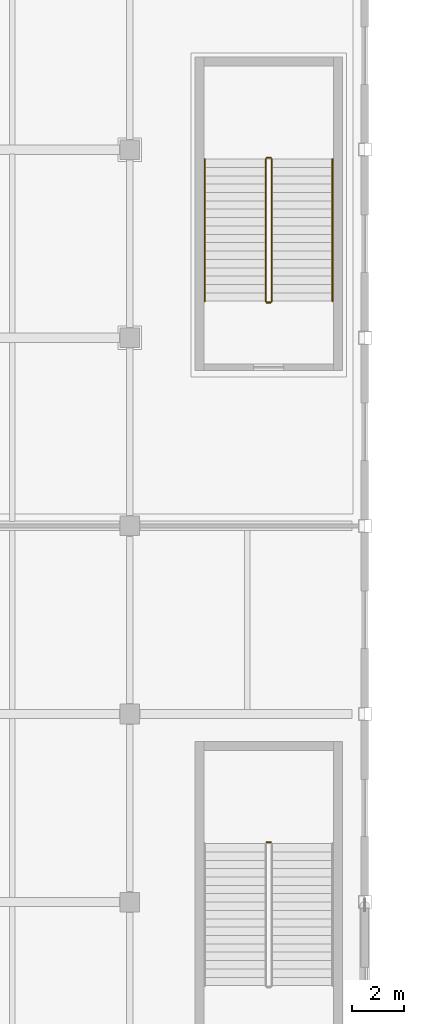
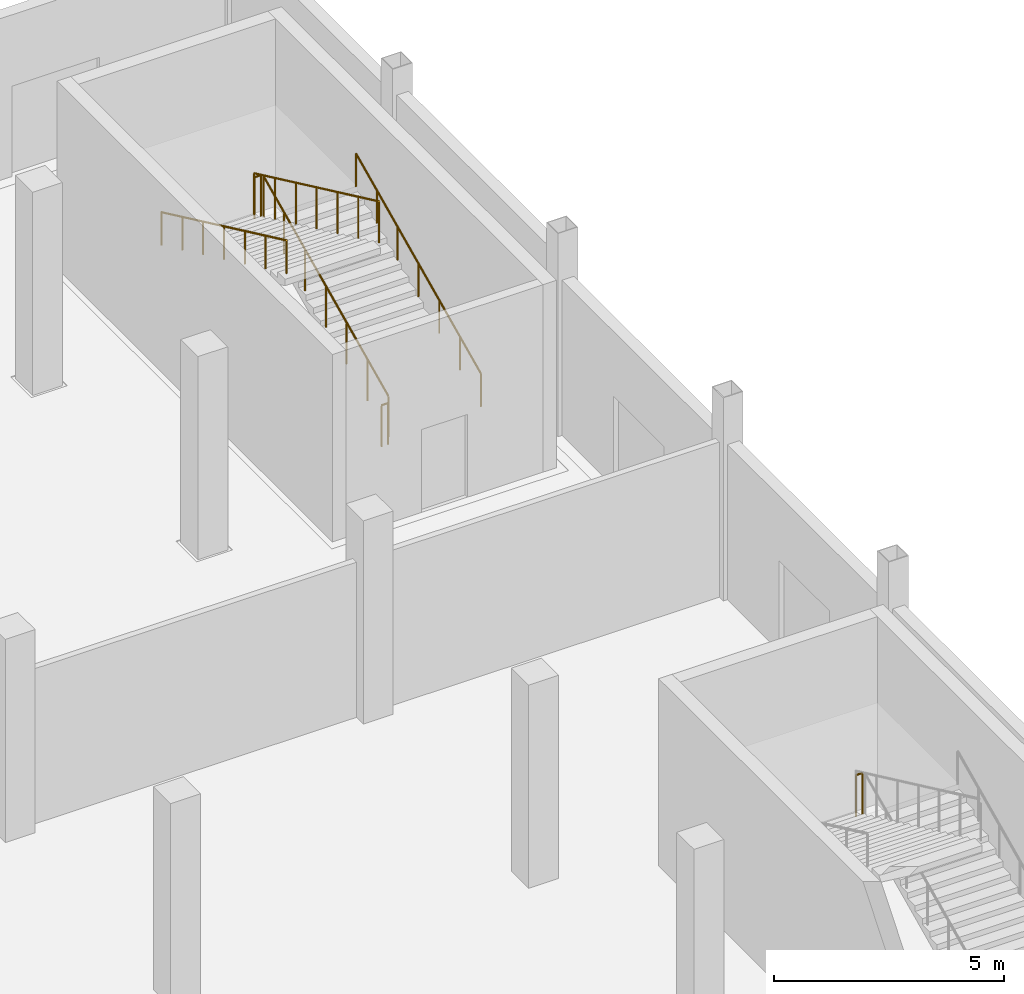
# One storey, part 137 of 137: 7 railings.
"""IFC4 building model written with IfcOpenShell, lengths in metres."""

from ifc_helpers import new_model, si_unit, direction, frame, origin, origin_2d, place, context, subcontext, project, spatial, circle, extrude, material, layer, layer_set, type_object, element, save


model = new_model("IFC4")

# Units and contexts
model_context = context("Model", 3, precision=1e-05, world=origin(), true_north=direction((0.0, 1.0)))
body_context = subcontext(model_context, "Body", "Model", "MODEL_VIEW")
ifc_project = project(units=[si_unit("LENGTHUNIT", "METRE"), si_unit("AREAUNIT", "SQUARE_METRE"), si_unit("VOLUMEUNIT", "CUBIC_METRE"), si_unit("PLANEANGLEUNIT", "RADIAN"), si_unit("MASSUNIT", "GRAM", prefix="KILO")], contexts=[model_context])

# Site, building, storey
site_placement = place(None, origin())
site = spatial("IfcSite", under=ifc_project, at=site_placement, CompositionType="ELEMENT")
building_placement = place(site_placement, origin())
building = spatial("IfcBuilding", under=site, at=building_placement, Name="Celestram Park Convention Centre", CompositionType="ELEMENT")
storey_placement = place(building_placement, origin())
storey = spatial("IfcBuildingStorey", under=building, at=storey_placement, Name="L00", CompositionType="ELEMENT", Elevation=0.0)

# Railings
ifc_material_1 = material(Name="Stainless Steel AISI 316L & Laminated Glass", Category="steel")
ifc_layer_1 = layer(ifc_material_1, 0.06005859375)
ifc_layer_set_1 = layer_set([ifc_layer_1], Name="Stainless Steel AISI 316L & Laminated Glass")
railing_type_1 = type_object("IfcRailingType", Name="ARC-RL-GRD1120", PredefinedType="GUARDRAIL", material=ifc_layer_set_1)
railing_1_placement = place(storey_placement, frame((212.43603515625, 152.60009765625, 0.14990234375)))
element("IfcRailing", 1, at=railing_1_placement, inside=storey, type_object=railing_type_1, Name="L00 ST-07 stair guard 1", PredefinedType="GUARDRAIL", context=body_context, shape_type="SweptSolid", body=[
    extrude(circle(Radius=0.02392578125, at=origin_2d()), frame((0.0, 0.0, 1.09619140625), z_axis=(0.0, 0.90545405566, 0.424444287379), x_axis=(-1.0, 0.0, 0.0)), (0.0, 0.0, 1.0), 6.008056640625),
    extrude(circle(Radius=0.02099609375, at=origin_2d()), origin(), (0.0, 0.0, 1.0), 1.072021484375),
    extrude(circle(Radius=0.02099609375, at=origin_2d()), frame((0.0, 0.90673828125, 0.425048828125)), (0.0, 0.0, 1.0), 1.072021484375),
    extrude(circle(Radius=0.02099609375, at=origin_2d()), frame((0.0, 1.813232421875, 0.85009765625)), (0.0, 0.0, 1.0), 1.072021484375),
    extrude(circle(Radius=0.02099609375, at=origin_2d()), frame((0.0, 2.719970703125, 1.27490234375)), (0.0, 0.0, 1.0), 1.072021484375),
    extrude(circle(Radius=0.02099609375, at=origin_2d()), frame((0.0, 3.626708984375, 1.699951171875)), (0.0, 0.0, 1.0), 1.072021484375),
    extrude(circle(Radius=0.02099609375, at=origin_2d()), frame((0.0, 4.533203125, 2.125)), (0.0, 0.0, 1.0), 1.072021484375),
    extrude(circle(Radius=0.02099609375, at=origin_2d()), frame((0.0, 5.43994140625, 2.550048828125)), (0.0, 0.0, 1.0), 1.072021484375),
])
railing_2_placement = place(storey_placement, frame((212.39990234375, 158.090087890625, 2.699951171875)))
element("IfcRailing", 2, at=railing_2_placement, inside=storey, type_object=railing_type_1, Name="L00 ST-07 stair guard 2", PredefinedType="GUARDRAIL", context=body_context, shape_type="SweptSolid", body=[
    extrude(circle(Radius=0.02392578125, at=origin_2d()), frame((0.0, 0.0, 1.09619140625), z_axis=(-1.0, 0.0, 0.0), x_axis=(0.0, -1.0, 0.0)), (0.0, 0.0, 1.0), 0.159912109375),
    extrude(circle(Radius=0.02099609375, at=origin_2d()), origin(), (0.0, 0.0, 1.0), 1.072021484375),
    extrude(circle(Radius=0.02099609375, at=origin_2d()), frame((-0.159912109375, 0.0, 0.0)), (0.0, 0.0, 1.0), 1.072021484375),
])
railing_3_placement = place(storey_placement, frame((212.2041015625, 158.0400390625, 2.85009765625)))
element("IfcRailing", 3, at=railing_3_placement, inside=storey, type_object=railing_type_1, Name="L00 ST-07 stair guard 3", PredefinedType="GUARDRAIL", context=body_context, shape_type="SweptSolid", body=[
    extrude(circle(Radius=0.02392578125, at=origin_2d()), frame((0.0, 0.0, 1.09619140625), z_axis=(0.0, -0.90546967238, 0.424410971113), x_axis=(1.0, 0.0, 0.0)), (0.0, 0.0, 1.0), 6.0078125),
    extrude(circle(Radius=0.02099609375, at=origin_2d()), origin(), (0.0, 0.0, 1.0), 1.072021484375),
    extrude(circle(Radius=0.02099609375, at=origin_2d()), frame((0.0, -0.90673828125, 0.425048828125)), (0.0, 0.0, 1.0), 1.072021484375),
    extrude(circle(Radius=0.02099609375, at=origin_2d()), frame((0.0, -1.813232421875, 0.849853515625)), (0.0, 0.0, 1.0), 1.072021484375),
    extrude(circle(Radius=0.02099609375, at=origin_2d()), frame((0.0, -2.719970703125, 1.27490234375)), (0.0, 0.0, 1.0), 1.072021484375),
    extrude(circle(Radius=0.02099609375, at=origin_2d()), frame((0.0, -3.626708984375, 1.699951171875)), (0.0, 0.0, 1.0), 1.072021484375),
    extrude(circle(Radius=0.02099609375, at=origin_2d()), frame((0.0, -4.533203125, 2.124755859375)), (0.0, 0.0, 1.0), 1.072021484375),
    extrude(circle(Radius=0.02099609375, at=origin_2d()), frame((0.0, -5.43994140625, 2.5498046875)), (0.0, 0.0, 1.0), 1.072021484375),
])
for number, where, name in (
    (4, (212.39990234375, 152.550048828125, 0.0), "L00 ST-07 stair guard 4"),
    (5, (212.39990234375, 131.889892578125, 2.699951171875), "L00 ST-08 stair guard 2"),
):
    element("IfcRailing", number, at=place(storey_placement, frame(where)), inside=storey, type_object=railing_type_1, Name=name, PredefinedType="GUARDRAIL", context=body_context, shape_type="SweptSolid", body=[
        extrude(circle(Radius=0.02392578125, at=origin_2d()), frame((0.0, 0.0, 1.09619140625), z_axis=(-1.0, 0.0, 0.0), x_axis=(0.0, -1.0, 0.0)), (0.0, 0.0, 1.0), 0.159912109375),
        extrude(circle(Radius=0.02099609375, at=origin_2d()), origin(), (0.0, 0.0, 1.0), 1.072021484375),
        extrude(circle(Radius=0.02099609375, at=origin_2d()), frame((-0.159912109375, 0.0, 0.0)), (0.0, 0.0, 1.0), 1.072021484375),
    ])
ifc_material_2 = material(Name="Brushed Stainless Steel AISI 304", Category="steel")
ifc_layer_2 = layer(ifc_material_2, 0.048095703125)
ifc_layer_set_2 = layer_set([ifc_layer_2], Name="Brushed Stainless Steel AISI 304")
railing_type_2 = type_object("IfcRailingType", Name="ARC-RL-HND915", PredefinedType="HANDRAIL", material=ifc_layer_set_2)
railing_4_placement = place(storey_placement, frame((214.763916015625, 152.60009765625, 0.14990234375)))
element("IfcRailing", 6, at=railing_4_placement, inside=storey, type_object=railing_type_2, Name="L00 ST-07 stair handrail 1", PredefinedType="HANDRAIL", context=body_context, shape_type="SweptSolid", body=[
    extrude(circle(Radius=0.02392578125, at=origin_2d()), frame((0.0, 0.0, 0.8759765625), z_axis=(0.0, 0.90545405566, 0.424444287379), x_axis=(-1.0, 0.0, 0.0)), (0.0, 0.0, 1.0), 6.008056640625),
    extrude(circle(Radius=0.02099609375, at=origin_2d()), origin(), (0.0, 0.0, 1.0), 0.851806640625),
    extrude(circle(Radius=0.02099609375, at=origin_2d()), frame((0.0, 0.90673828125, 0.425048828125)), (0.0, 0.0, 1.0), 0.851806640625),
    extrude(circle(Radius=0.02099609375, at=origin_2d()), frame((0.0, 1.813232421875, 0.85009765625)), (0.0, 0.0, 1.0), 0.851806640625),
    extrude(circle(Radius=0.02099609375, at=origin_2d()), frame((0.0, 2.719970703125, 1.27490234375)), (0.0, 0.0, 1.0), 0.851806640625),
    extrude(circle(Radius=0.02099609375, at=origin_2d()), frame((0.0, 3.626708984375, 1.699951171875)), (0.0, 0.0, 1.0), 0.851806640625),
    extrude(circle(Radius=0.02099609375, at=origin_2d()), frame((0.0, 4.533203125, 2.125)), (0.0, 0.0, 1.0), 0.851806640625),
    extrude(circle(Radius=0.02099609375, at=origin_2d()), frame((0.0, 5.43994140625, 2.550048828125)), (0.0, 0.0, 1.0), 0.851806640625),
])
railing_5_placement = place(storey_placement, frame((209.8759765625, 158.0400390625, 2.85009765625)))
element("IfcRailing", 7, at=railing_5_placement, inside=storey, type_object=railing_type_2, Name="L00 ST-07 stair handrail 2", PredefinedType="HANDRAIL", context=body_context, shape_type="SweptSolid", body=[
    extrude(circle(Radius=0.02392578125, at=origin_2d()), frame((0.0, 0.0, 0.8759765625), z_axis=(0.0, -0.90546967238, 0.424410971113), x_axis=(1.0, 0.0, 0.0)), (0.0, 0.0, 1.0), 6.0078125),
    extrude(circle(Radius=0.02099609375, at=origin_2d()), origin(), (0.0, 0.0, 1.0), 0.851806640625),
    extrude(circle(Radius=0.02099609375, at=origin_2d()), frame((0.0, -0.90673828125, 0.425048828125)), (0.0, 0.0, 1.0), 0.851806640625),
    extrude(circle(Radius=0.02099609375, at=origin_2d()), frame((0.0, -1.813232421875, 0.849853515625)), (0.0, 0.0, 1.0), 0.851806640625),
    extrude(circle(Radius=0.02099609375, at=origin_2d()), frame((0.0, -2.719970703125, 1.27490234375)), (0.0, 0.0, 1.0), 0.851806640625),
    extrude(circle(Radius=0.02099609375, at=origin_2d()), frame((0.0, -3.626708984375, 1.699951171875)), (0.0, 0.0, 1.0), 0.851806640625),
    extrude(circle(Radius=0.02099609375, at=origin_2d()), frame((0.0, -4.533203125, 2.124755859375)), (0.0, 0.0, 1.0), 0.851806640625),
    extrude(circle(Radius=0.02099609375, at=origin_2d()), frame((0.0, -5.43994140625, 2.5498046875)), (0.0, 0.0, 1.0), 0.851806640625),
])

save(model, "model.ifc")
